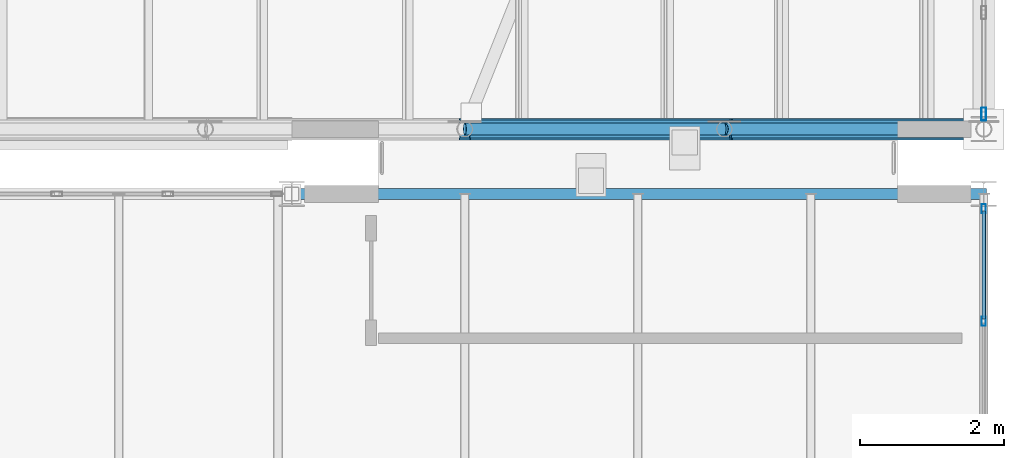
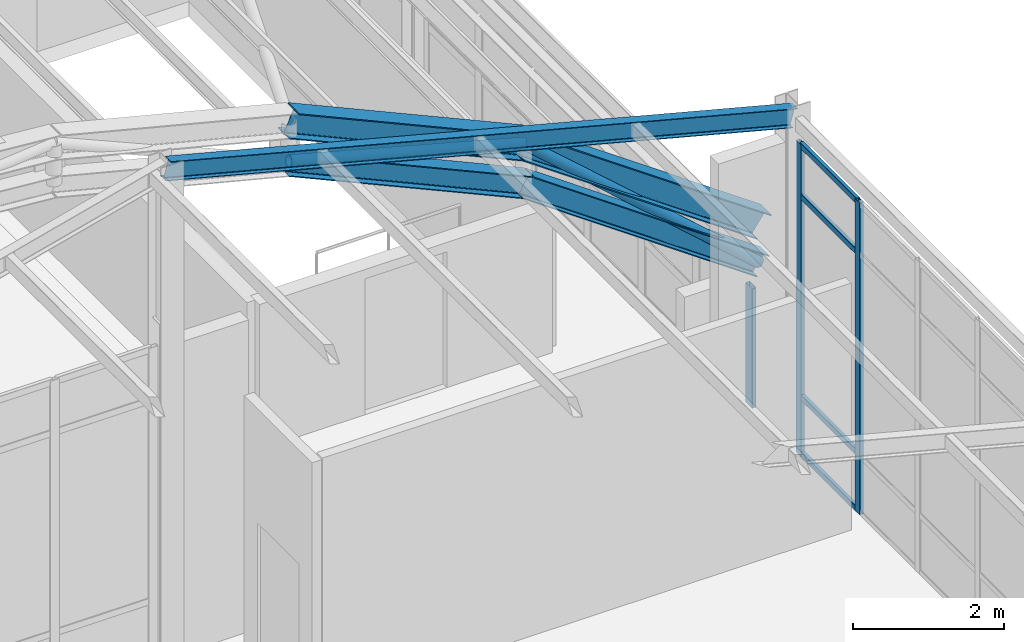
# One storey, part 24 of 121: 11 members, 3 beams, 2 elements without a shape of their own.
"""IFC4 building model written with IfcOpenShell, lengths in metres."""

from ifc_helpers import new_model, si_unit, direction, frame, origin, origin_2d, place, context, subcontext, project, spatial, hollow_rectangle, hollow_circle, i_section, extrude, material, material_profile, profile_set, type_object, element, aggregate, save


model = new_model("IFC4")

# Units and contexts
model_context = context("Model", 3, precision=1e-05, world=origin(), true_north=direction((0.0, 1.0)))
body_context = subcontext(model_context, "Body", "Model", "MODEL_VIEW")
ifc_project = project(units=[si_unit("LENGTHUNIT", "METRE"), si_unit("AREAUNIT", "SQUARE_METRE"), si_unit("VOLUMEUNIT", "CUBIC_METRE"), si_unit("PLANEANGLEUNIT", "RADIAN"), si_unit("MASSUNIT", "GRAM", prefix="KILO")], contexts=[model_context])

# Site, building, storey
site_placement = place(None, origin())
site = spatial("IfcSite", under=ifc_project, at=site_placement, CompositionType="ELEMENT")
building_placement = place(site_placement, origin())
building = spatial("IfcBuilding", under=site, at=building_placement, Name="Canglan Escarpment Cableway Terminal", CompositionType="ELEMENT")
storey_placement = place(building_placement, frame((0.0, 0.0, 24.60009765625)))
storey = spatial("IfcBuildingStorey", under=building, at=storey_placement, Name="L05", CompositionType="ELEMENT", Elevation=24.60009765625)

# Beams
ifc_material_1 = material(Name="Steel Q355B", Category="steel")
ifc_material_profile_1 = material_profile(ifc_material_1, i_section(OverallWidth=0.300048828125, OverallDepth=0.389892578125, WebThickness=0.010009765625, FlangeThickness=0.01611328125, FilletRadius=0.02197265625, at=origin_2d()), Name="HM 390x300x10x16")
ifc_profile_set_1 = profile_set([ifc_material_profile_1], Name="Steel Q355B")
beam_type_1 = type_object("IfcBeamType", Name="BM-ARCH-TOP-HM390", PredefinedType="BEAM", material=ifc_profile_set_1)
beam_1_placement = place(storey_placement, frame((159.199951171875, 34.0, 7.23828125), z_axis=(0.911752518833, 0.0, -0.410739996108), x_axis=(0.0, 1.0, 0.0)))
element("IfcBeam", 1, at=beam_1_placement, inside=storey, type_object=beam_type_1, Name="Vault ROOF TRUSS arch top chord AR-TC1", PredefinedType="BEAM", context=body_context, shape_type="SweptSolid", body=[
    extrude(i_section(OverallWidth=0.300048828125, OverallDepth=0.389892578125, WebThickness=0.010009765625, FlangeThickness=0.01611328125, FilletRadius=0.02197265625, at=origin_2d()), origin(), (0.0, 0.0, 1.0), 3.948486328125),
])
beam_2_placement = place(storey_placement, frame((162.800048828125, 34.0, 5.616455078125), z_axis=(0.817731009495, 0.0, -0.575600552563), x_axis=(0.0, 1.0, 0.0)))
element("IfcBeam", 2, at=beam_2_placement, inside=storey, type_object=beam_type_1, Name="Vault ROOF TRUSS arch top chord AR-TC1", PredefinedType="BEAM", context=body_context, shape_type="SweptSolid", body=[
    extrude(i_section(OverallWidth=0.300048828125, OverallDepth=0.389892578125, WebThickness=0.010009765625, FlangeThickness=0.01611328125, FilletRadius=0.02197265625, at=origin_2d()), origin(), (0.0, 0.0, 1.0), 4.40234375),
])
ifc_material_profile_2 = material_profile(ifc_material_1, i_section(OverallWidth=0.14990234375, OverallDepth=0.300048828125, WebThickness=0.006591796875, FlangeThickness=0.009033203125, FilletRadius=0.012939453125, at=origin_2d()), Name="HN 300x150x6.5x9")
ifc_profile_set_2 = profile_set([ifc_material_profile_2], Name="Steel Q355B")
beam_type_2 = type_object("IfcBeamType", Name="BM-GABLE-RAFTER-HN300", PredefinedType="BEAM", material=ifc_profile_set_2)
beam_3_placement = place(storey_placement, frame((156.800048828125, 33.10009765625, 7.849853515625), z_axis=(0.9677232967, 0.0, -0.252015120628), x_axis=(0.0, 1.0, 0.0)))
element("IfcBeam", 3, at=beam_3_placement, inside=storey, type_object=beam_type_2, Name="Pedimented pavilion rafter RF-B2", PredefinedType="BEAM", context=body_context, shape_type="SweptSolid", body=[
    extrude(i_section(OverallWidth=0.14990234375, OverallDepth=0.300048828125, WebThickness=0.006591796875, FlangeThickness=0.009033203125, FilletRadius=0.012939453125, at=origin_2d()), origin(), (0.0, 0.0, 1.0), 9.919921875),
])

# Curtain wall, members
ifc_material_2 = material(Name="Anodized bronze aluminium and Low-E double glazing", Category="aluminium")
curtain_wall_type_1 = type_object("IfcCurtainWallType", Name="CW-BAY-7950x5050", PredefinedType="NOTDEFINED", material=ifc_material_2)
curtain_wall_1_placement = place(storey_placement, origin())
curtain_wall_1 = element("IfcCurtainWall", 4, at=curtain_wall_1_placement, inside=storey, type_object=curtain_wall_type_1, Name="Classical bay-between-piers glazed curtain wall CW-39", PredefinedType="NOTDEFINED")
ifc_material_3 = material(Name="Thermally broken anodized aluminium 6063-T6", Category="aluminium")
ifc_material_profile_3 = material_profile(ifc_material_3, hollow_rectangle(XDim=0.06005859375, YDim=0.1298828125, WallThickness=0.0029296875, InnerFilletRadius=0.0029296875, OuterFilletRadius=0.006103515625, at=origin_2d()), Name="ALU-MULL 60x130x3")
ifc_profile_set_3 = profile_set([ifc_material_profile_3], Name="Thermally broken anodized aluminium 6063-T6")
member_type_1 = type_object("IfcMemberType", Name="CWM-01", PredefinedType="MULLION", material=ifc_profile_set_3)
member_1_placement = place(storey_placement, frame((166.39990234375, 31.3349609375, 0.0), z_axis=(0.0, 0.0, 1.0), x_axis=(-1.0, 0.0, 0.0)))
member_1 = element("IfcMember", 5, at=member_1_placement, type_object=member_type_1, Name="CW-39 mullion 5", PredefinedType="MULLION", context=body_context, shape_type="SweptSolid", body=[
    extrude(hollow_rectangle(XDim=0.06005859375, YDim=0.1298828125, WallThickness=0.0029296875, InnerFilletRadius=0.0029296875, OuterFilletRadius=0.006103515625, at=origin_2d()), origin(), (0.0, 0.0, 1.0), 5.0498046875),
])
member_2_placement = place(storey_placement, frame((166.39990234375, 32.89501953125, 0.0), z_axis=(0.0, 0.0, 1.0), x_axis=(-1.0, 0.0, 0.0)))
member_2 = element("IfcMember", 6, at=member_2_placement, type_object=member_type_1, Name="CW-39 mullion 6", PredefinedType="MULLION", context=body_context, shape_type="SweptSolid", body=[
    extrude(hollow_rectangle(XDim=0.06005859375, YDim=0.1298828125, WallThickness=0.0029296875, InnerFilletRadius=0.0029296875, OuterFilletRadius=0.006103515625, at=origin_2d()), origin(), (0.0, 0.0, 1.0), 5.0498046875),
])

# Curtain wall, member
curtain_wall_type_2 = type_object("IfcCurtainWallType", Name="CW-BAY-8650x1925", PredefinedType="NOTDEFINED", material=ifc_material_2)
curtain_wall_2_placement = place(storey_placement, origin())
curtain_wall_2 = element("IfcCurtainWall", 7, at=curtain_wall_2_placement, inside=storey, type_object=curtain_wall_type_2, Name="Classical bay-between-piers glazed curtain wall CW-65", PredefinedType="NOTDEFINED")
ifc_material_profile_4 = material_profile(ifc_material_3, hollow_rectangle(XDim=0.06494140625, YDim=0.179931640625, WallThickness=0.00390625, InnerFilletRadius=0.00390625, OuterFilletRadius=0.008056640625, at=origin_2d()), Name="ALU-MULL 65x180x4")
ifc_profile_set_4 = profile_set([ifc_material_profile_4], Name="Thermally broken anodized aluminium 6063-T6")
member_type_2 = type_object("IfcMemberType", Name="CWM-03", PredefinedType="MULLION", material=ifc_profile_set_4)
member_3_placement = place(storey_placement, frame((166.39990234375, 34.20751953125, 0.0), z_axis=(0.0, 0.0, 1.0), x_axis=(-1.0, 0.0, 0.0)))
member_3 = element("IfcMember", 8, at=member_3_placement, type_object=member_type_2, Name="CW-65 mullion 1", PredefinedType="MULLION", context=body_context, shape_type="SweptSolid", body=[
    extrude(hollow_rectangle(XDim=0.06494140625, YDim=0.179931640625, WallThickness=0.00390625, InnerFilletRadius=0.00390625, OuterFilletRadius=0.008056640625, at=origin_2d()), origin(), (0.0, 0.0, 1.0), 1.932373046875),
])
aggregate(curtain_wall_2, [member_3])

# Member
ifc_material_profile_5 = material_profile(ifc_material_3, hollow_rectangle(XDim=0.054931640625, YDim=0.094970703125, WallThickness=0.0029296875, InnerFilletRadius=0.0029296875, OuterFilletRadius=0.006103515625, at=origin_2d()), Name="ALU-TRAN 55x95x3")
ifc_profile_set_5 = profile_set([ifc_material_profile_5], Name="Thermally broken anodized aluminium 6063-T6")
member_type_3 = type_object("IfcMemberType", Name="CWT-01", PredefinedType="USERDEFINED", material=ifc_profile_set_5)
member_4_placement = place(storey_placement, frame((166.39990234375, 31.364990234375, 0.02734375), z_axis=(0.0, 1.0, 0.0), x_axis=(-1.0, 0.0, 0.0)))
member_4 = element("IfcMember", 9, at=member_4_placement, type_object=member_type_3, Name="CW-39 transom 5.1", ObjectType="TRANSOM", PredefinedType="USERDEFINED", context=body_context, shape_type="SweptSolid", body=[
    extrude(hollow_rectangle(XDim=0.054931640625, YDim=0.094970703125, WallThickness=0.0029296875, InnerFilletRadius=0.0029296875, OuterFilletRadius=0.006103515625, at=origin_2d()), origin(), (0.0, 0.0, 1.0), 1.5),
])

member_5_placement = place(storey_placement, frame((166.39990234375, 31.364990234375, 0.949951171875), z_axis=(0.0, 1.0, 0.0), x_axis=(-1.0, 0.0, 0.0)))
member_5 = element("IfcMember", 10, at=member_5_placement, type_object=member_type_3, Name="CW-39 transom 5.2", ObjectType="TRANSOM", PredefinedType="USERDEFINED", context=body_context, shape_type="SweptSolid", body=[
    extrude(hollow_rectangle(XDim=0.054931640625, YDim=0.094970703125, WallThickness=0.0029296875, InnerFilletRadius=0.0029296875, OuterFilletRadius=0.006103515625, at=origin_2d()), origin(), (0.0, 0.0, 1.0), 1.5),
])

member_6_placement = place(storey_placement, frame((166.39990234375, 31.364990234375, 4.199951171875), z_axis=(0.0, 1.0, 0.0), x_axis=(-1.0, 0.0, 0.0)))
member_6 = element("IfcMember", 11, at=member_6_placement, type_object=member_type_3, Name="CW-39 transom 5.3", ObjectType="TRANSOM", PredefinedType="USERDEFINED", context=body_context, shape_type="SweptSolid", body=[
    extrude(hollow_rectangle(XDim=0.054931640625, YDim=0.094970703125, WallThickness=0.0029296875, InnerFilletRadius=0.0029296875, OuterFilletRadius=0.006103515625, at=origin_2d()), origin(), (0.0, 0.0, 1.0), 1.5),
])

member_7_placement = place(storey_placement, frame((166.39990234375, 31.364990234375, 5.0224609375), z_axis=(0.0, 1.0, 0.0), x_axis=(-1.0, 0.0, 0.0)))
member_7 = element("IfcMember", 12, at=member_7_placement, type_object=member_type_3, Name="CW-39 transom 5.4", ObjectType="TRANSOM", PredefinedType="USERDEFINED", context=body_context, shape_type="SweptSolid", body=[
    extrude(hollow_rectangle(XDim=0.054931640625, YDim=0.094970703125, WallThickness=0.0029296875, InnerFilletRadius=0.0029296875, OuterFilletRadius=0.006103515625, at=origin_2d()), origin(), (0.0, 0.0, 1.0), 1.5),
])

aggregate(curtain_wall_1, [member_1, member_2, member_4, member_5, member_6, member_7])

# Members
ifc_material_profile_6 = material_profile(ifc_material_1, i_section(OverallWidth=0.25, OverallDepth=0.340087890625, WebThickness=0.009033203125, FlangeThickness=0.013916015625, FilletRadius=0.02001953125, at=origin_2d()), Name="HM 340x250x9x14")
ifc_profile_set_6 = profile_set([ifc_material_profile_6], Name="Steel Q355B")
member_type_4 = type_object("IfcMemberType", Name="MB-ARCH-BOT-HM340", PredefinedType="CHORD", material=ifc_profile_set_6)
member_8_placement = place(storey_placement, frame((159.199951171875, 34.0, 6.58837890625), z_axis=(0.911752518833, 0.0, -0.410739996108), x_axis=(0.0, 1.0, 0.0)))
element("IfcMember", 13, at=member_8_placement, inside=storey, type_object=member_type_4, Name="Vault ROOF TRUSS arch bottom chord AR-BC1", PredefinedType="CHORD", context=body_context, shape_type="SweptSolid", body=[
    extrude(i_section(OverallWidth=0.25, OverallDepth=0.340087890625, WebThickness=0.009033203125, FlangeThickness=0.013916015625, FilletRadius=0.02001953125, at=origin_2d()), origin(), (0.0, 0.0, 1.0), 3.948486328125),
])
member_9_placement = place(storey_placement, frame((162.800048828125, 34.0, 4.966552734375), z_axis=(0.81770490607, 0.0, -0.575637634792), x_axis=(0.0, 1.0, 0.0)))
element("IfcMember", 14, at=member_9_placement, inside=storey, type_object=member_type_4, Name="Vault ROOF TRUSS arch bottom chord AR-BC1", PredefinedType="CHORD", context=body_context, shape_type="SweptSolid", body=[
    extrude(i_section(OverallWidth=0.25, OverallDepth=0.340087890625, WebThickness=0.009033203125, FlangeThickness=0.013916015625, FilletRadius=0.02001953125, at=origin_2d()), origin(), (0.0, 0.0, 1.0), 4.40234375),
])
ifc_material_profile_7 = material_profile(ifc_material_1, hollow_circle(Radius=0.084228515625, WallThickness=0.006103515625, at=origin_2d()), Name="CHS 168.3x6")
ifc_profile_set_7 = profile_set([ifc_material_profile_7], Name="Steel Q355B")
member_type_5 = type_object("IfcMemberType", Name="MB-ARCH-DIAG-CHS168", PredefinedType="BRACE", material=ifc_profile_set_7)
member_10_placement = place(storey_placement, frame((159.199951171875, 34.0, 6.58837890625), z_axis=(0.96543600217, 0.0, -0.260640222748), x_axis=(0.0, 1.0, 0.0)))
element("IfcMember", 15, at=member_10_placement, inside=storey, type_object=member_type_5, Name="Vault ROOF TRUSS web diagonal AR-DG1", PredefinedType="BRACE", context=body_context, shape_type="SweptSolid", body=[
    extrude(hollow_circle(Radius=0.084228515625, WallThickness=0.006103515625, at=origin_2d()), origin(), (0.0, 0.0, 1.0), 3.72900390625),
])
member_11_placement = place(storey_placement, frame((162.800048828125, 34.0, 5.616455078125), z_axis=(0.749038254518, 0.0, -0.662526749096), x_axis=(0.0, 1.0, 0.0)))
element("IfcMember", 16, at=member_11_placement, inside=storey, type_object=member_type_5, Name="Vault ROOF TRUSS web diagonal AR-DG1", PredefinedType="BRACE", context=body_context, shape_type="SweptSolid", body=[
    extrude(hollow_circle(Radius=0.084228515625, WallThickness=0.006103515625, at=origin_2d()), origin(), (0.0, 0.0, 1.0), 4.805908203125),
])

save(model, "model.ifc")
